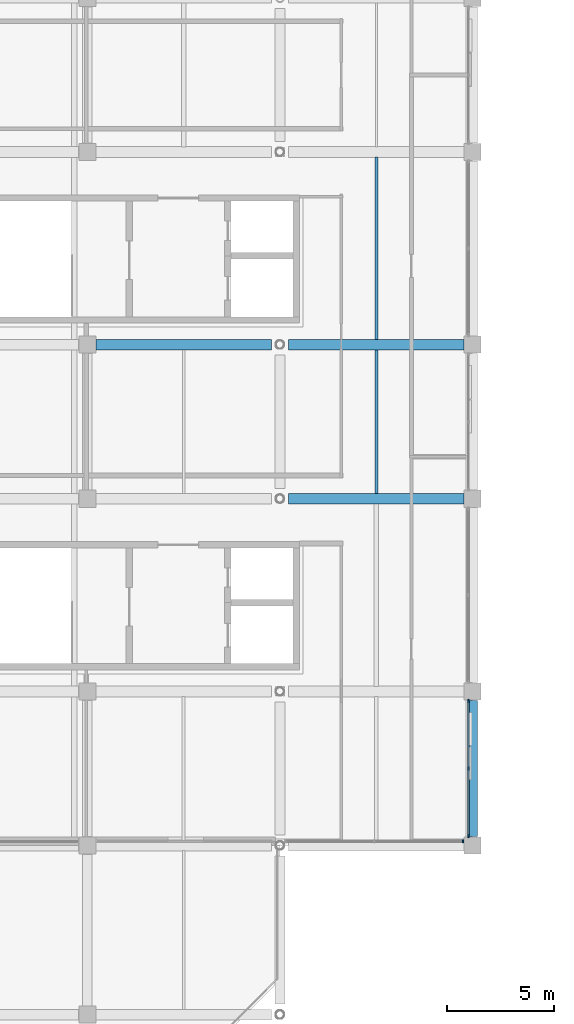
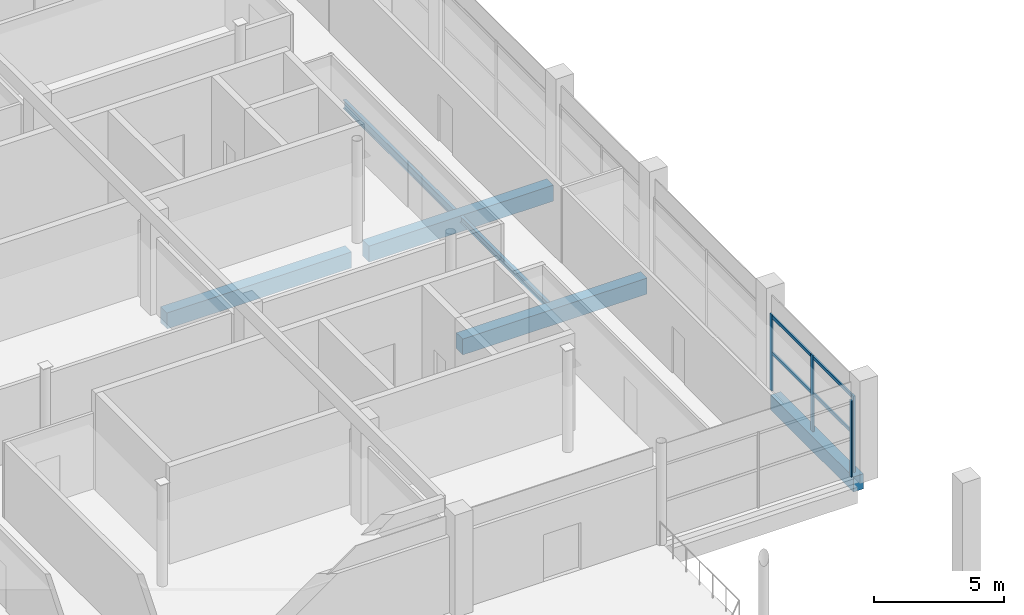
# One storey, part 10 of 114: 6 beams, 6 members, 2 elements without a shape of their own.
"""IFC4 building model written with IfcOpenShell, lengths in metres."""

from ifc_helpers import new_model, si_unit, direction, frame, origin, origin_2d, place, context, subcontext, project, spatial, rectangle, i_section, extrude, material, material_profile, profile_set, type_object, element, aggregate, save


model = new_model("IFC4")

# Units and contexts
model_context = context("Model", 3, precision=1e-05, world=origin(), true_north=direction((0.0, 1.0)))
body_context = subcontext(model_context, "Body", "Model", "MODEL_VIEW")
ifc_project = project(units=[si_unit("LENGTHUNIT", "METRE"), si_unit("AREAUNIT", "SQUARE_METRE"), si_unit("VOLUMEUNIT", "CUBIC_METRE"), si_unit("PLANEANGLEUNIT", "RADIAN"), si_unit("MASSUNIT", "GRAM", prefix="KILO"), si_unit("THERMODYNAMICTEMPERATUREUNIT", "KELVIN"), si_unit("POWERUNIT", "WATT")], contexts=[model_context])

# Site, building, storey
site_placement = place(None, origin())
site = spatial("IfcSite", under=ifc_project, at=site_placement, CompositionType="ELEMENT")
building_placement = place(site_placement, origin())
building = spatial("IfcBuilding", under=site, at=building_placement, Name="Sindhuravela Promenade Stadium", CompositionType="ELEMENT")
storey_placement = place(building_placement, frame((0.0, 0.0, 24.0)))
storey = spatial("IfcBuildingStorey", under=building, at=storey_placement, Name="L05", CompositionType="ELEMENT", Elevation=24.0)

# Curtain wall, members
ifc_material_1 = material(Name="Anodised architectural aluminium 6063-T6", Category="aluminium")
curtain_wall_type_1 = type_object("IfcCurtainWallType", Name="CW-MOD-5", PredefinedType="NOTDEFINED", material=ifc_material_1)
curtain_wall_1_placement = place(storey_placement, origin())
curtain_wall_1 = element("IfcCurtainWall", 1, at=curtain_wall_1_placement, inside=storey, type_object=curtain_wall_type_1, Name="Bronze curtain wall CW-WEST-L05-084", PredefinedType="NOTDEFINED")
ifc_material_profile_1 = material_profile(ifc_material_1, rectangle(XDim=0.074951171875, YDim=0.175048828125, at=origin_2d()), Name="ALU MULL 75x175")
ifc_profile_set_1 = profile_set([ifc_material_profile_1], Name="Anodised architectural aluminium 6063-T6")
member_type_1 = type_object("IfcMemberType", Name="CW-MUL-1", PredefinedType="MULLION", material=ifc_profile_set_1)
member_1_placement = place(storey_placement, frame((35.800048828125, 51.75, 0.0), z_axis=(0.0, 0.0, 1.0), x_axis=(1.0, 0.0, 0.0)))
member_1 = element("IfcMember", 2, at=member_1_placement, type_object=member_type_1, Name="Curtain wall mullion CW-WEST-L05-084-M1", PredefinedType="MULLION", context=body_context, shape_type="SweptSolid", body=[
    extrude(rectangle(XDim=0.074951171875, YDim=0.175048828125, at=origin_2d()), origin(), (0.0, 0.0, 1.0), 3.580078125),
])
member_2_placement = place(storey_placement, frame((35.800048828125, 48.60009765625, 0.0), z_axis=(0.0, 0.0, 1.0), x_axis=(1.0, 0.0, 0.0)))
member_2 = element("IfcMember", 3, at=member_2_placement, type_object=member_type_1, Name="Curtain wall mullion CW-WEST-L05-084-M2", PredefinedType="MULLION", context=body_context, shape_type="SweptSolid", body=[
    extrude(rectangle(XDim=0.074951171875, YDim=0.175048828125, at=origin_2d()), origin(), (0.0, 0.0, 1.0), 3.580078125),
])
member_3_placement = place(storey_placement, frame((35.800048828125, 45.449951171875, 0.0), z_axis=(0.0, 0.0, 1.0), x_axis=(1.0, 0.0, 0.0)))
member_3 = element("IfcMember", 4, at=member_3_placement, type_object=member_type_1, Name="Curtain wall mullion CW-WEST-L05-084-M3", PredefinedType="MULLION", context=body_context, shape_type="SweptSolid", body=[
    extrude(rectangle(XDim=0.074951171875, YDim=0.175048828125, at=origin_2d()), origin(), (0.0, 0.0, 1.0), 3.580078125),
])

# Curtain wall, member
curtain_wall_type_2 = type_object("IfcCurtainWallType", Name="CW-MOD-6", PredefinedType="NOTDEFINED", material=ifc_material_1)
curtain_wall_2_placement = place(storey_placement, origin())
curtain_wall_2 = element("IfcCurtainWall", 5, at=curtain_wall_2_placement, inside=storey, type_object=curtain_wall_type_2, Name="Bronze curtain wall CW-WEST-L05-085", PredefinedType="NOTDEFINED")
ifc_material_profile_2 = material_profile(ifc_material_1, rectangle(XDim=0.06494140625, YDim=0.14990234375, at=origin_2d()), Name="ALU MULL 65x150")
ifc_profile_set_2 = profile_set([ifc_material_profile_2], Name="Anodised architectural aluminium 6063-T6")
member_type_2 = type_object("IfcMemberType", Name="CW-MUL-2", PredefinedType="MULLION", material=ifc_profile_set_2)
member_4_placement = place(storey_placement, frame((35.550048828125, 45.199951171875, 0.0), z_axis=(0.0, 0.0, 1.0), x_axis=(1.0, 0.0, 0.0)))
member_4 = element("IfcMember", 6, at=member_4_placement, type_object=member_type_2, Name="Curtain wall mullion CW-WEST-L05-085-M1", PredefinedType="MULLION", context=body_context, shape_type="SweptSolid", body=[
    extrude(rectangle(XDim=0.06494140625, YDim=0.14990234375, at=origin_2d()), origin(), (0.0, 0.0, 1.0), 3.580078125),
])
aggregate(curtain_wall_2, [member_4])

# Member
ifc_material_profile_3 = material_profile(ifc_material_1, rectangle(XDim=0.074951171875, YDim=0.14990234375, at=origin_2d()), Name="ALU TRAN 75x150")
ifc_profile_set_3 = profile_set([ifc_material_profile_3], Name="Anodised architectural aluminium 6063-T6")
member_type_3 = type_object("IfcMemberType", Name="CW-TRN-1", PredefinedType="USERDEFINED", material=ifc_profile_set_3)
member_5_placement = place(storey_placement, frame((35.800048828125, 51.77490234375, 1.7900390625), z_axis=(0.0, -1.0, 0.0), x_axis=(1.0, 0.0, 0.0)))
member_5 = element("IfcMember", 7, at=member_5_placement, type_object=member_type_3, Name="Curtain wall transom CW-WEST-L05-084-T1", ObjectType="TRANSOM", PredefinedType="USERDEFINED", context=body_context, shape_type="SweptSolid", body=[
    extrude(rectangle(XDim=0.074951171875, YDim=0.14990234375, at=origin_2d()), origin(), (0.0, 0.0, 1.0), 6.349853515625),
])

member_6_placement = place(storey_placement, frame((35.800048828125, 51.77490234375, 3.5), z_axis=(0.0, -1.0, 0.0), x_axis=(1.0, 0.0, 0.0)))
member_6 = element("IfcMember", 8, at=member_6_placement, type_object=member_type_3, Name="Curtain wall transom CW-WEST-L05-084-T2", ObjectType="TRANSOM", PredefinedType="USERDEFINED", context=body_context, shape_type="SweptSolid", body=[
    extrude(rectangle(XDim=0.074951171875, YDim=0.14990234375, at=origin_2d()), origin(), (0.0, 0.0, 1.0), 6.349853515625),
])

aggregate(curtain_wall_1, [member_1, member_2, member_3, member_5, member_6])

# Beams
ifc_material_2 = material(Name="Concrete M40", Category="concrete")
ifc_material_profile_4 = material_profile(ifc_material_2, rectangle(XDim=0.449951171875, YDim=0.699951171875, at=origin_2d()), Name="RC 450x700")
ifc_profile_set_4 = profile_set([ifc_material_profile_4], Name="Concrete M40")
beam_type_1 = type_object("IfcBeamType", Name="RC-BM-450x700", PredefinedType="BEAM", material=ifc_profile_set_4)
beam_1_placement = place(storey_placement, frame((36.0, 45.4150390625, -0.60009765625), z_axis=(0.0, 1.0, 0.0), x_axis=(-1.0, 0.0, 0.0)))
element("IfcBeam", 9, at=beam_1_placement, inside=storey, type_object=beam_type_1, Name="Primary beam GB07 WEST L05", PredefinedType="BEAM", context=body_context, shape_type="SweptSolid", body=[
    extrude(rectangle(XDim=0.449951171875, YDim=0.699951171875, at=origin_2d()), origin(), (0.0, 0.0, 1.0), 6.369873046875),
])
ifc_material_profile_5 = material_profile(ifc_material_2, rectangle(XDim=0.5, YDim=0.75, at=origin_2d()), Name="RC 500x750")
ifc_profile_set_5 = profile_set([ifc_material_profile_5], Name="Concrete M40")
beam_type_2 = type_object("IfcBeamType", Name="RC-BM-500x750", PredefinedType="BEAM", material=ifc_profile_set_5)
for number, where, z_axis, x_axis, name in (
    (10, (27.389892578125, 61.199951171875, -0.625), (1.0, 0.0, 0.0), (0.0, 1.0, 0.0), "Primary girder GB06 WEST L05"),
    (11, (18.4150390625, 68.39990234375, -0.625), (1.0, 0.0, 0.0), (0.0, 1.0, 0.0), "Primary girder GB06 WEST L05"),
    (12, (27.389892578125, 68.39990234375, -0.625), (1.0, 0.0, 0.0), (0.0, 1.0, 0.0), "Primary girder GB06 WEST L05"),
):
    element("IfcBeam", number, at=place(storey_placement, frame(where, z_axis=z_axis, x_axis=x_axis)), inside=storey, type_object=beam_type_2, Name=name, PredefinedType="BEAM", context=body_context, shape_type="SweptSolid", body=[
        extrude(rectangle(XDim=0.5, YDim=0.75, at=origin_2d()), origin(), (0.0, 0.0, 1.0), 8.195068359375),
    ])
ifc_material_3 = material(Name="Steel E350 (IS 2062 E350BR)", Category="steel")
ifc_material_profile_6 = material_profile(ifc_material_3, i_section(OverallWidth=0.139892578125, OverallDepth=0.300048828125, WebThickness=0.0078125, FlangeThickness=0.01318359375, FilletRadius=0.013916015625, at=origin_2d()), Name="ISMB 300")
ifc_profile_set_6 = profile_set([ifc_material_profile_6], Name="Steel E350 (IS 2062 E350BR)")
beam_type_3 = type_object("IfcBeamType", Name="ST-BM-MB300", PredefinedType="JOIST", material=ifc_profile_set_6)
beam_2_placement = place(storey_placement, frame((31.5, 61.43994140625, -0.39990234375), z_axis=(0.0, 1.0, 0.0), x_axis=(-1.0, 0.0, 0.0)))
element("IfcBeam", 13, at=beam_2_placement, inside=storey, type_object=beam_type_3, Name="Secondary floor joist SB03 WEST L05", PredefinedType="JOIST", context=body_context, shape_type="SweptSolid", body=[
    extrude(i_section(OverallWidth=0.139892578125, OverallDepth=0.300048828125, WebThickness=0.0078125, FlangeThickness=0.01318359375, FilletRadius=0.013916015625, at=origin_2d()), origin(), (0.0, 0.0, 1.0), 6.719970703125),
])
ifc_material_profile_7 = material_profile(ifc_material_3, i_section(OverallWidth=0.139892578125, OverallDepth=0.39990234375, WebThickness=0.0087890625, FlangeThickness=0.01611328125, FilletRadius=0.013916015625, at=origin_2d()), Name="ISMB 400")
ifc_profile_set_7 = profile_set([ifc_material_profile_7], Name="Steel E350 (IS 2062 E350BR)")
beam_type_4 = type_object("IfcBeamType", Name="ST-BM-MB400", PredefinedType="BEAM", material=ifc_profile_set_7)
beam_3_placement = place(storey_placement, frame((31.5, 68.639892578125, -0.449951171875), z_axis=(0.0, 1.0, 0.0), x_axis=(-1.0, 0.0, 0.0)))
element("IfcBeam", 14, at=beam_3_placement, inside=storey, type_object=beam_type_4, Name="Secondary floor joist SB05 WEST L05", PredefinedType="BEAM", context=body_context, shape_type="SweptSolid", body=[
    extrude(i_section(OverallWidth=0.139892578125, OverallDepth=0.39990234375, WebThickness=0.0087890625, FlangeThickness=0.01611328125, FilletRadius=0.013916015625, at=origin_2d()), origin(), (0.0, 0.0, 1.0), 8.52001953125),
])

save(model, "model.ifc")
